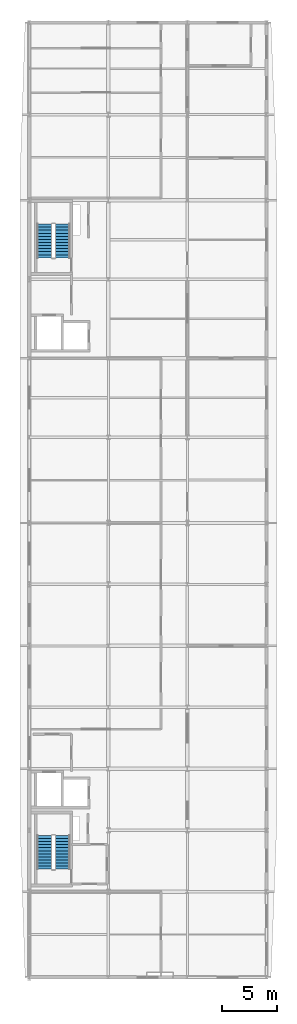
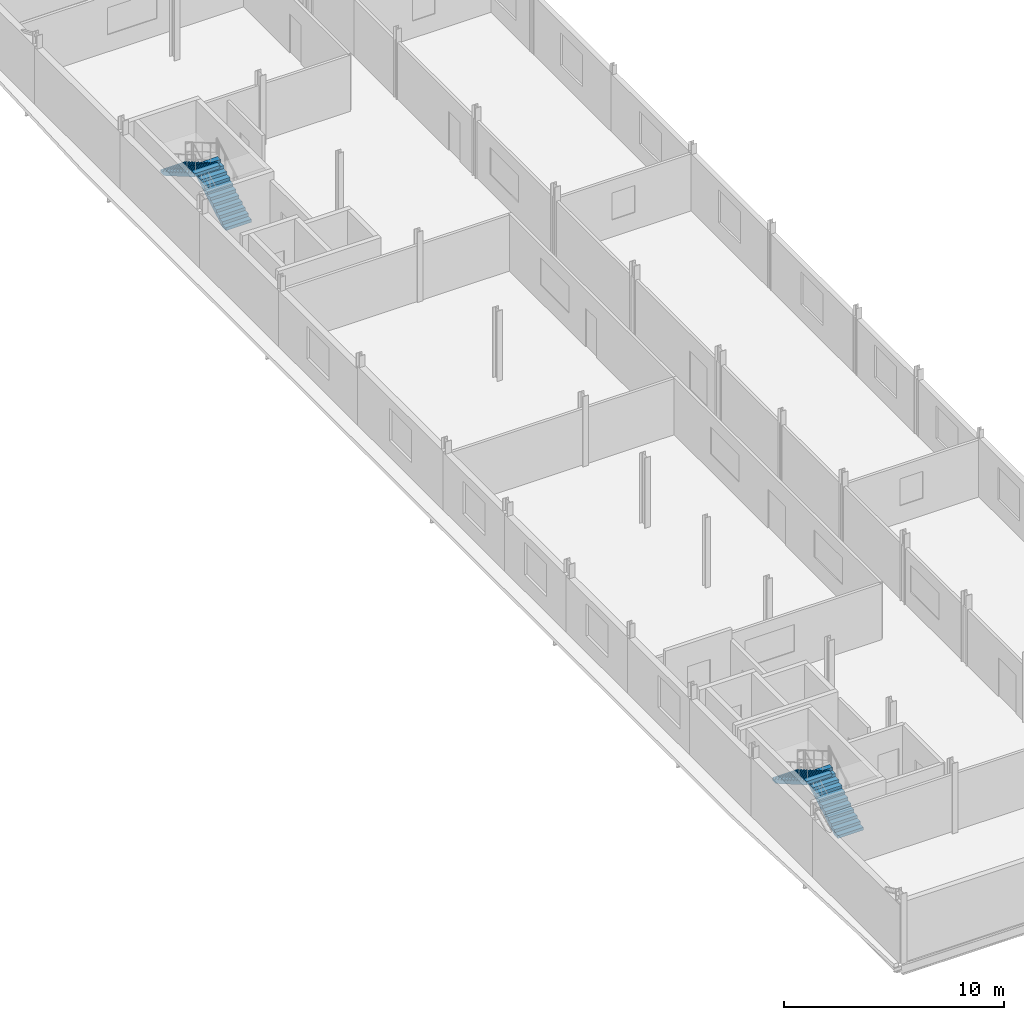
# One storey, part 14 of 16: 4 stair flights, 2 elements without a shape of their own.
"""IFC4 building model written with IfcOpenShell, lengths in metres."""

from ifc_helpers import new_model, si_unit, direction, frame, origin, place, context, subcontext, project, spatial, polyline, outline, extrude, material, type_object, element, aggregate, save


model = new_model("IFC4")

# Units and contexts
model_context = context("Model", 3, precision=1e-05, world=origin(), true_north=direction((0.0, 1.0)))
body_context = subcontext(model_context, "Body", "Model", "MODEL_VIEW")
ifc_project = project(units=[si_unit("LENGTHUNIT", "METRE"), si_unit("AREAUNIT", "SQUARE_METRE"), si_unit("VOLUMEUNIT", "CUBIC_METRE"), si_unit("PLANEANGLEUNIT", "RADIAN"), si_unit("MASSUNIT", "GRAM", prefix="KILO")], contexts=[model_context])

# Site, building, storey
site_placement = place(None, origin())
site = spatial("IfcSite", under=ifc_project, at=site_placement, CompositionType="ELEMENT")
building_placement = place(site_placement, origin())
building = spatial("IfcBuilding", under=site, at=building_placement, Name="Vinh Khe Railworks Police Headquarters", CompositionType="ELEMENT")
storey_placement = place(building_placement, frame((0.0, 0.0, 28.800048828125)))
storey = spatial("IfcBuildingStorey", under=building, at=storey_placement, Name="L07", CompositionType="ELEMENT", Elevation=28.800048828125)

# Stair, stair flights
ifc_material = material(Name="Precast concrete C40/50 (B40)", Category="concrete")
stair_type = type_object("IfcStairType", Name="ST-CORE-DOGLEG", PredefinedType="HALF_TURN_STAIR", material=ifc_material)
stair_1_placement = place(storey_placement, origin())
stair_1 = element("IfcStair", 1, at=stair_1_placement, inside=storey, type_object=stair_type, Name="L07 Escape Stair ST-01", PredefinedType="HALF_TURN_STAIR")
stair_flight_type = type_object("IfcStairFlightType", Name="STF-PRECAST-1350", PredefinedType="STRAIGHT", material=ifc_material)
stair_flight_1_placement = place(storey_placement, frame((3.625, 27.25, 0.0), z_axis=(0.0, 0.0, 1.0), x_axis=(0.0, 1.0, 0.0)))
stair_flight_1 = element("IfcStairFlight", 2, at=stair_flight_1_placement, type_object=stair_flight_type, Name="ST-01 flight 1", NumberOfRisers=12, NumberOfTreads=11, PredefinedType="STRAIGHT", RiserHeight=0.1625, TreadLength=0.28, context=body_context, shape_type="SweptSolid", body=[
    extrude(outline(polyline([(0.0, 0.0), (0.0, 0.16259765625), (0.280029296875, 0.16259765625), (0.280029296875, 0.324951171875), (0.56005859375, 0.324951171875), (0.56005859375, 0.487548828125), (0.840087890625, 0.487548828125), (0.840087890625, 0.64990234375), (1.1201171875, 0.64990234375), (1.1201171875, 0.8125), (1.39990234375, 0.8125), (1.39990234375, 0.97509765625), (1.679931640625, 0.97509765625), (1.679931640625, 1.137451171875), (1.9599609375, 1.137451171875), (1.9599609375, 1.300048828125), (2.239990234375, 1.300048828125), (2.239990234375, 1.46240234375), (2.52001953125, 1.46240234375), (2.52001953125, 1.625), (2.800048828125, 1.625), (2.800048828125, 1.78759765625), (3.080078125, 1.78759765625), (3.080078125, 1.949951171875), (3.080078125, 1.6142578125), (0.298583984375, 0.0), (0.0, 0.0)])), frame((0.0, 0.675048828125, 0.0), z_axis=(0.0, -1.0, 0.0), x_axis=(1.0, 0.0, 0.0)), (0.0, 0.0, 1.0), 1.35009765625),
])
stair_flight_2_placement = place(storey_placement, frame((1.97509765625, 30.330078125, 1.949951171875), z_axis=(0.0, 0.0, 1.0), x_axis=(0.0, -1.0, 0.0)))
stair_flight_2 = element("IfcStairFlight", 3, at=stair_flight_2_placement, type_object=stair_flight_type, Name="ST-01 flight 2", NumberOfRisers=12, NumberOfTreads=11, PredefinedType="STRAIGHT", RiserHeight=0.1625, TreadLength=0.28, context=body_context, shape_type="SweptSolid", body=[
    extrude(outline(polyline([(0.0, 0.0), (0.0, 0.16259765625), (0.280029296875, 0.16259765625), (0.280029296875, 0.324951171875), (0.56005859375, 0.324951171875), (0.56005859375, 0.487548828125), (0.840087890625, 0.487548828125), (0.840087890625, 0.64990234375), (1.1201171875, 0.64990234375), (1.1201171875, 0.8125), (1.39990234375, 0.8125), (1.39990234375, 0.97509765625), (1.679931640625, 0.97509765625), (1.679931640625, 1.137451171875), (1.9599609375, 1.137451171875), (1.9599609375, 1.300048828125), (2.239990234375, 1.300048828125), (2.239990234375, 1.46240234375), (2.52001953125, 1.46240234375), (2.52001953125, 1.625), (2.800048828125, 1.625), (2.800048828125, 1.78759765625), (3.080078125, 1.78759765625), (3.080078125, 1.949951171875), (3.080078125, 1.6142578125), (0.298583984375, 0.0), (0.0, 0.0)])), frame((0.0, 0.675048828125, 0.0), z_axis=(0.0, -1.0, 0.0), x_axis=(1.0, 0.0, 0.0)), (0.0, 0.0, 1.0), 1.35009765625),
])
aggregate(stair_1, [stair_flight_1, stair_flight_2])

stair_2_placement = place(storey_placement, origin())
stair_2 = element("IfcStair", 4, at=stair_2_placement, inside=storey, type_object=stair_type, Name="L07 Escape Stair ST-02", PredefinedType="HALF_TURN_STAIR")
stair_flight_3_placement = place(storey_placement, frame((3.625, 82.949951171875, 0.0), z_axis=(0.0, 0.0, 1.0), x_axis=(0.0, 1.0, 0.0)))
stair_flight_3 = element("IfcStairFlight", 5, at=stair_flight_3_placement, type_object=stair_flight_type, Name="ST-02 flight 1", NumberOfRisers=12, NumberOfTreads=11, PredefinedType="STRAIGHT", RiserHeight=0.1625, TreadLength=0.28, context=body_context, shape_type="SweptSolid", body=[
    extrude(outline(polyline([(0.0, 0.0), (0.0, 0.16259765625), (0.280029296875, 0.16259765625), (0.280029296875, 0.324951171875), (0.56005859375, 0.324951171875), (0.56005859375, 0.487548828125), (0.840087890625, 0.487548828125), (0.840087890625, 0.64990234375), (1.1201171875, 0.64990234375), (1.1201171875, 0.8125), (1.39990234375, 0.8125), (1.39990234375, 0.97509765625), (1.679931640625, 0.97509765625), (1.679931640625, 1.137451171875), (1.9599609375, 1.137451171875), (1.9599609375, 1.300048828125), (2.239990234375, 1.300048828125), (2.239990234375, 1.46240234375), (2.52001953125, 1.46240234375), (2.52001953125, 1.625), (2.800048828125, 1.625), (2.800048828125, 1.78759765625), (3.080078125, 1.78759765625), (3.080078125, 1.949951171875), (3.080078125, 1.6142578125), (0.298583984375, 0.0), (0.0, 0.0)])), frame((0.0, 0.675048828125, 0.0), z_axis=(0.0, -1.0, 0.0), x_axis=(1.0, 0.0, 0.0)), (0.0, 0.0, 1.0), 1.35009765625),
])
stair_flight_4_placement = place(storey_placement, frame((1.97509765625, 86.030029296875, 1.949951171875), z_axis=(0.0, 0.0, 1.0), x_axis=(0.0, -1.0, 0.0)))
stair_flight_4 = element("IfcStairFlight", 6, at=stair_flight_4_placement, type_object=stair_flight_type, Name="ST-02 flight 2", NumberOfRisers=12, NumberOfTreads=11, PredefinedType="STRAIGHT", RiserHeight=0.1625, TreadLength=0.28, context=body_context, shape_type="SweptSolid", body=[
    extrude(outline(polyline([(0.0, 0.0), (0.0, 0.16259765625), (0.280029296875, 0.16259765625), (0.280029296875, 0.324951171875), (0.56005859375, 0.324951171875), (0.56005859375, 0.487548828125), (0.840087890625, 0.487548828125), (0.840087890625, 0.64990234375), (1.1201171875, 0.64990234375), (1.1201171875, 0.8125), (1.39990234375, 0.8125), (1.39990234375, 0.97509765625), (1.679931640625, 0.97509765625), (1.679931640625, 1.137451171875), (1.9599609375, 1.137451171875), (1.9599609375, 1.300048828125), (2.239990234375, 1.300048828125), (2.239990234375, 1.46240234375), (2.52001953125, 1.46240234375), (2.52001953125, 1.625), (2.800048828125, 1.625), (2.800048828125, 1.78759765625), (3.080078125, 1.78759765625), (3.080078125, 1.949951171875), (3.080078125, 1.6142578125), (0.298583984375, 0.0), (0.0, 0.0)])), frame((0.0, 0.675048828125, 0.0), z_axis=(0.0, -1.0, 0.0), x_axis=(1.0, 0.0, 0.0)), (0.0, 0.0, 1.0), 1.35009765625),
])
aggregate(stair_2, [stair_flight_3, stair_flight_4])

save(model, "model.ifc")
